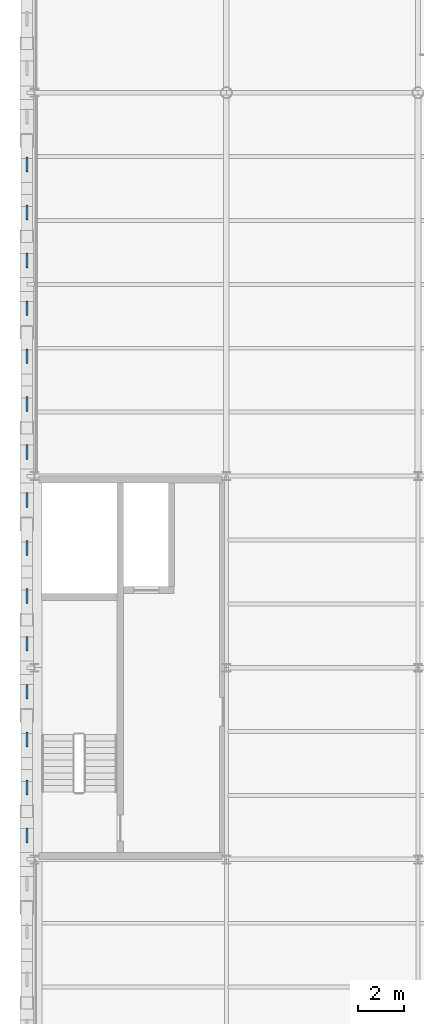
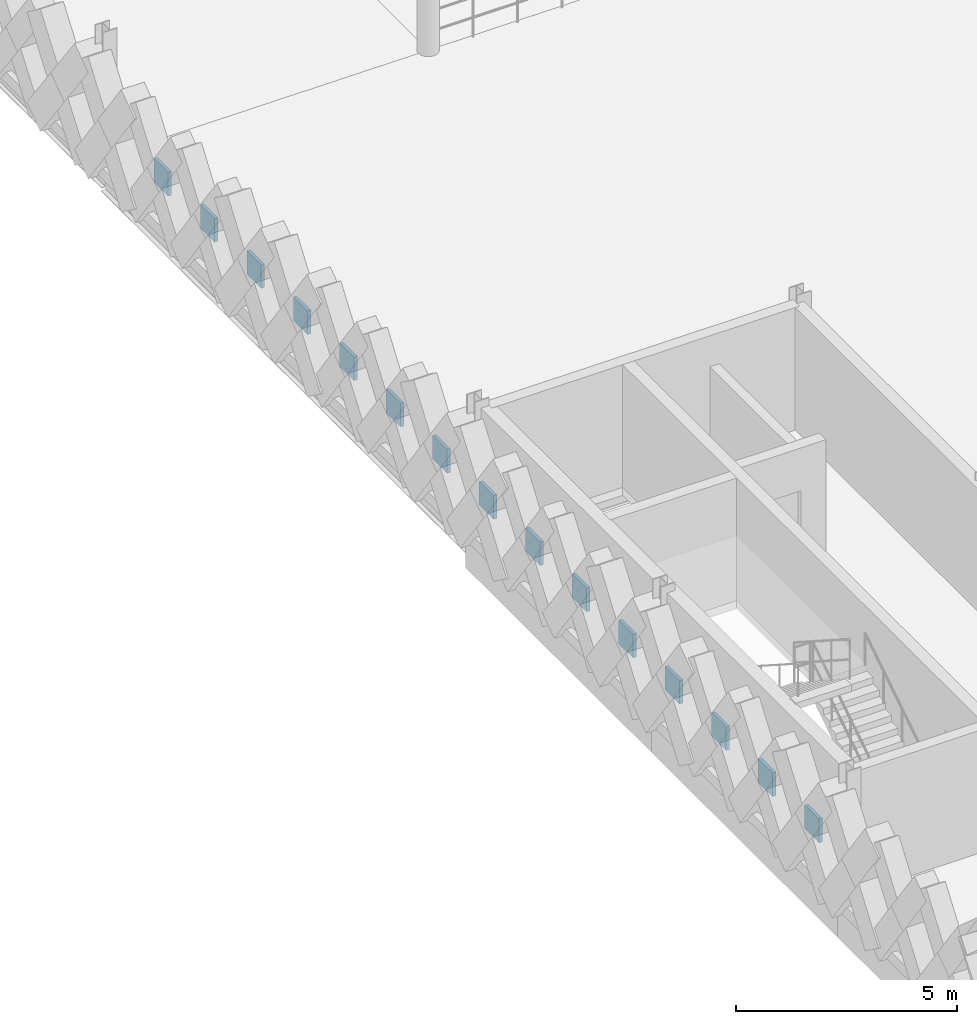
# One storey, part 54 of 74: 15 plates.
"""IFC4 building model written with IfcOpenShell, lengths in metres."""

import ifcopenshell
import ifcopenshell.guid

model = None  # the IFC model being written
_history = None  # IfcOwnerHistory: only IFC2X3 demands one
_inside = {}  # id of a spatial element -> (the spatial element, [elements in it])
_under = {}  # id of a project, library or spatial element -> (it, [spatial elements below it])
_declared = {}  # id of a project -> (the project, [libraries it declares])
_typed = {}  # id of a type object -> (the type object, [elements of that type])
_made_of = {}  # id of a material, layer set ... -> (it, [elements and type objects made of it])


def new_model(schema):
    """Start an empty IFC model of exactly this schema.

    Asked for "IFC4X3", IfcOpenShell would pick the latest addendum, in which some entities
    have other attributes; the version numbers below select the first issue.
    IFC2X3 requires an IfcOwnerHistory on every rooted entity: one is made here for all.
    """
    global model, _history
    if schema == "IFC4X3":
        model = ifcopenshell.file(schema_version=(4, 3, 0, 0))
    else:
        model = ifcopenshell.file(schema=schema)
    _inside.clear()
    _under.clear()
    _declared.clear()
    _typed.clear()
    _made_of.clear()
    _history = None
    if model.schema == "IFC2X3":
        org = make("IfcOrganization", Name="unknown")
        user = make(
            "IfcPersonAndOrganization",
            ThePerson=make("IfcPerson", FamilyName="unknown"),
            TheOrganization=org,
        )
        app = make(
            "IfcApplication",
            ApplicationDeveloper=org,
            Version="unknown",
            ApplicationFullName="unknown",
            ApplicationIdentifier="unknown",
        )
        _history = make(
            "IfcOwnerHistory",
            OwningUser=user,
            OwningApplication=app,
            ChangeAction="ADDED",
            CreationDate=0,
        )
    return model


def make(cls, **values):
    """One entity of the class cls with the attributes given. An attribute that is None is left unset."""
    return model.create_entity(
        cls, **{name: value for name, value in values.items() if value is not None}
    )


def rooted(cls, **values):
    """An entity with a GlobalId (a new one), such as an element, a storey or a relation."""
    return make(cls, GlobalId=ifcopenshell.guid.new(), OwnerHistory=_history, **values)


def si_unit(unit_type, name, prefix=None):
    """IfcSIUnit, for example si_unit("LENGTHUNIT", "METRE", prefix="MILLI")."""
    return make("IfcSIUnit", UnitType=unit_type, Prefix=prefix, Name=name)


def assignment(units):
    """IfcUnitAssignment: the units of a project."""
    return None if units is None else make("IfcUnitAssignment", Units=units)


def point(xyz):
    """IfcCartesianPoint."""
    return None if xyz is None else make("IfcCartesianPoint", Coordinates=xyz)


def direction(xyz):
    """IfcDirection."""
    return None if xyz is None else make("IfcDirection", DirectionRatios=xyz)


def frame(location, z_axis=None, x_axis=None):
    """IfcAxis2Placement3D, a coordinate frame: its origin and axes. An axis left out is left unset."""
    return make(
        "IfcAxis2Placement3D",
        Location=point(location),
        Axis=direction(z_axis),
        RefDirection=direction(x_axis),
    )


def frame_2d(location, x_axis=None):
    """IfcAxis2Placement2D, a coordinate frame in the plane: its origin and x axis."""
    return make(
        "IfcAxis2Placement2D", Location=point(location), RefDirection=direction(x_axis)
    )


def origin():
    """The frame at (0, 0, 0) with its axes left unset."""
    return frame((0.0, 0.0, 0.0))


def origin_2d():
    """The frame at (0, 0) in the plane with its x axis left unset."""
    return frame_2d((0.0, 0.0))


def place(relative_to, where):
    """IfcLocalPlacement: puts the frame where relative to a parent placement (None: the world)."""
    return make(
        "IfcLocalPlacement", PlacementRelTo=relative_to, RelativePlacement=where
    )


def context(
    kind, dimensions, precision=None, world=None, true_north=None, identifier=None
):
    """IfcGeometricRepresentationContext, for example the 3D "Model" context."""
    return make(
        "IfcGeometricRepresentationContext",
        ContextIdentifier=identifier,
        ContextType=kind,
        CoordinateSpaceDimension=dimensions,
        Precision=precision,
        WorldCoordinateSystem=world,
        TrueNorth=true_north,
    )


def subcontext(parent, identifier, kind, view, scale=None):
    """IfcGeometricRepresentationSubContext, for example "Body" below "Model"."""
    return make(
        "IfcGeometricRepresentationSubContext",
        ContextIdentifier=identifier,
        ContextType=kind,
        ParentContext=parent,
        TargetScale=scale,
        TargetView=view,
    )


def project(units=None, contexts=None):
    """IfcProject with its units and contexts."""
    return rooted(
        "IfcProject",
        Name="project",
        RepresentationContexts=contexts,
        UnitsInContext=assignment(units),
    )


def spatial(cls, under=None, at=None, **own):
    """A site, building, storey or space (cls), placed at a placement, below another one or the project."""
    s = rooted(cls, ObjectPlacement=at, **own)
    if under is not None:
        _under.setdefault(under.id(), (under, []))[1].append(s)
    return s


def profile(cls, at=None, kind="AREA", **sizes):
    """A parametric profile (cls). Its sizes go by their IFC names, for example OverallWidth=200.0."""
    return make(cls, ProfileType=kind, Position=at, **sizes)


def rectangle(**sizes):
    """IfcRectangleProfileDef."""
    return profile("IfcRectangleProfileDef", **sizes)


def extrude(swept, where, along, depth):
    """IfcExtrudedAreaSolid: the profile swept, set in the frame where, extruded along a direction by depth."""
    return make(
        "IfcExtrudedAreaSolid",
        SweptArea=swept,
        Position=where,
        ExtrudedDirection=direction(along),
        Depth=depth,
    )


def shape(context_of_items, identifier, shape_type, items):
    """IfcShapeRepresentation: the items that make up one representation, for example the "Body"."""
    return make(
        "IfcShapeRepresentation",
        ContextOfItems=context_of_items,
        RepresentationIdentifier=identifier,
        RepresentationType=shape_type,
        Items=items,
    )


def material(Name=None, Category=None):
    """IfcMaterial."""
    return make("IfcMaterial", Name=Name, Category=Category)


def layer(
    of_material, thickness, ventilated=None, Name=None, Category=None, Priority=None
):
    """IfcMaterialLayer: one layer of a wall or slab, of a material (None: an air gap)."""
    return make(
        "IfcMaterialLayer",
        Material=of_material,
        LayerThickness=thickness,
        IsVentilated=ventilated,
        Name=Name,
        Category=Category,
        Priority=Priority,
    )


def layer_set(layers, Name=None):
    """IfcMaterialLayerSet."""
    return make("IfcMaterialLayerSet", MaterialLayers=layers, LayerSetName=Name)


def made_of(thing, what):
    """Note that an element or type object is made of a material, layer set ...; save() writes the relation."""
    if what is not None:
        _made_of.setdefault(what.id(), (what, []))[1].append(thing)
    return thing


def type_object(cls, material=None, **own):
    """A type object (cls), such as IfcWallType, which elements share."""
    return made_of(rooted(cls, **own), material)


def element(
    cls,
    number,
    at=None,
    inside=None,
    cuts=None,
    type_object=None,
    material=None,
    context=None,
    identifier="Body",
    shape_type=None,
    held_by="IfcProductDefinitionShape",
    body=None,
    shapes=None,
    **own,
):
    """One element of the class cls, such as IfcWall. Its Tag is "e" and its number.

    at: its placement. inside: the storey or other place that contains it. cuts: it is an
    opening in that element (IfcRelVoidsElement). A single representation is given by context,
    identifier, shape_type and body (its items); several are given by shapes. held_by: the class
    of the entity that holds the representations. save() writes the other relations.
    """
    e = rooted(cls, Tag="e%d" % number, ObjectPlacement=at, **own)
    if body is not None:
        shapes = [shape(context, identifier, shape_type, body)]
    if shapes is not None:
        e.Representation = make(held_by, Representations=shapes)
    if inside is not None:
        _inside.setdefault(inside.id(), (inside, []))[1].append(e)
    if cuts is not None:
        rooted(
            "IfcRelVoidsElement", RelatingBuildingElement=cuts, RelatedOpeningElement=e
        )
    if type_object is not None:
        _typed.setdefault(type_object.id(), (type_object, []))[1].append(e)
    return made_of(e, material)


def aggregate(whole, parts):
    """IfcRelAggregates: a whole, such as a stair, and the parts it consists of."""
    return rooted("IfcRelAggregates", RelatingObject=whole, RelatedObjects=parts)


def save(model, path):
    """Write the relations noted so far, then the file.

    IfcRelAggregates (storeys below a building ...), IfcRelContainedInSpatialStructure (elements
    in a storey), IfcRelDefinesByType, IfcRelAssociatesMaterial and IfcRelDeclares: one each for
    every whole, place, type object, material and project.
    """
    for whole, parts in _under.values():
        aggregate(whole, parts)
    for where, things in _inside.values():
        rooted(
            "IfcRelContainedInSpatialStructure",
            RelatedElements=things,
            RelatingStructure=where,
        )
    for kind, things in _typed.values():
        rooted("IfcRelDefinesByType", RelatedObjects=things, RelatingType=kind)
    for what, things in _made_of.values():
        rooted("IfcRelAssociatesMaterial", RelatedObjects=things, RelatingMaterial=what)
    for by, libraries in _declared.values():
        rooted("IfcRelDeclares", RelatingContext=by, RelatedDefinitions=libraries)
    model.write(path)


model = new_model("IFC4")

# Units and contexts
model_context = context("Model", 3, precision=1e-05, world=origin(), true_north=direction((0.0, 1.0)))
body_context = subcontext(model_context, "Body", "Model", "MODEL_VIEW")
ifc_project = project(units=[si_unit("LENGTHUNIT", "METRE"), si_unit("AREAUNIT", "SQUARE_METRE"), si_unit("VOLUMEUNIT", "CUBIC_METRE"), si_unit("PLANEANGLEUNIT", "RADIAN"), si_unit("MASSUNIT", "GRAM", prefix="KILO"), si_unit("THERMODYNAMICTEMPERATUREUNIT", "KELVIN"), si_unit("POWERUNIT", "WATT")], contexts=[model_context])

# Site, building, storey
site_placement = place(None, origin())
site = spatial("IfcSite", under=ifc_project, at=site_placement, CompositionType="ELEMENT")
building_placement = place(site_placement, origin())
building = spatial("IfcBuilding", under=site, at=building_placement, Name="Tembeka Court Mobility Hub", CompositionType="ELEMENT")
storey_placement = place(building_placement, frame((0.0, 0.0, 12.60009765625)))
storey = spatial("IfcBuildingStorey", under=building, at=storey_placement, Name="L03", CompositionType="ELEMENT", Elevation=12.60009765625)

# Plates
ifc_material = material(Name="Precast concrete C45/55", Category="concrete")
ifc_layer = layer(ifc_material, 0.090087890625)
ifc_layer_set = layer_set([ifc_layer], Name="Precast concrete C45/55")
plate_type = type_object("IfcPlateType", Name="PL-PC01", PredefinedType="SHEET", material=ifc_layer_set)
for number, where, z_axis, x_axis, name in (
    (1, (-0.340087890625, 64.64990234375, 1.159912109375), (0.0, 0.0, 1.0), (1.0, 0.0, 0.0), "Precast diamond lattice node plate PCN01 (L03-507)"),
    (2, (-0.340087890625, 66.75, 1.159912109375), (0.0, 0.0, 1.0), (1.0, 0.0, 0.0), "Precast diamond lattice node plate PCN01 (L03-508)"),
    (3, (-0.340087890625, 68.85009765625, 1.159912109375), (0.0, 0.0, 1.0), (1.0, 0.0, 0.0), "Precast diamond lattice node plate PCN01 (L03-509)"),
    (4, (-0.340087890625, 70.949951171875, 1.159912109375), (0.0, 0.0, 1.0), (1.0, 0.0, 0.0), "Precast diamond lattice node plate PCN01 (L03-510)"),
    (5, (-0.340087890625, 73.050048828125, 1.159912109375), (0.0, 0.0, 1.0), (1.0, 0.0, 0.0), "Precast diamond lattice node plate PCN01 (L03-511)"),
    (6, (-0.340087890625, 75.14990234375, 1.159912109375), (0.0, 0.0, 1.0), (1.0, 0.0, 0.0), "Precast diamond lattice node plate PCN01 (L03-512)"),
    (7, (-0.340087890625, 77.25, 1.159912109375), (0.0, 0.0, 1.0), (1.0, 0.0, 0.0), "Precast diamond lattice node plate PCN01 (L03-513)"),
    (8, (-0.340087890625, 79.35009765625, 1.159912109375), (0.0, 0.0, 1.0), (1.0, 0.0, 0.0), "Precast diamond lattice node plate PCN01 (L03-514)"),
    (9, (-0.340087890625, 81.449951171875, 1.159912109375), (0.0, 0.0, 1.0), (1.0, 0.0, 0.0), "Precast diamond lattice node plate PCN01 (L03-515)"),
    (10, (-0.340087890625, 83.550048828125, 1.159912109375), (0.0, 0.0, 1.0), (1.0, 0.0, 0.0), "Precast diamond lattice node plate PCN01 (L03-516)"),
    (11, (-0.340087890625, 85.64990234375, 1.159912109375), (0.0, 0.0, 1.0), (1.0, 0.0, 0.0), "Precast diamond lattice node plate PCN01 (L03-517)"),
    (12, (-0.340087890625, 87.75, 1.159912109375), (0.0, 0.0, 1.0), (1.0, 0.0, 0.0), "Precast diamond lattice node plate PCN01 (L03-518)"),
    (13, (-0.340087890625, 89.85009765625, 1.159912109375), (0.0, 0.0, 1.0), (1.0, 0.0, 0.0), "Precast diamond lattice node plate PCN01 (L03-519)"),
    (14, (-0.340087890625, 91.949951171875, 1.159912109375), (0.0, 0.0, 1.0), (1.0, 0.0, 0.0), "Precast diamond lattice node plate PCN01 (L03-520)"),
    (15, (-0.340087890625, 94.050048828125, 1.159912109375), (0.0, 0.0, 1.0), (1.0, 0.0, 0.0), "Precast diamond lattice node plate PCN01 (L03-521)"),
):
    element("IfcPlate", number, at=place(storey_placement, frame(where, z_axis=z_axis, x_axis=x_axis)), inside=storey, type_object=plate_type, Name=name, PredefinedType="SHEET", context=body_context, shape_type="SweptSolid", body=[
        extrude(rectangle(XDim=0.090087890625, YDim=0.64990234375, at=origin_2d()), origin(), (0.0, 0.0, 1.0), 0.64990234375),
    ])

save(model, "model.ifc")
